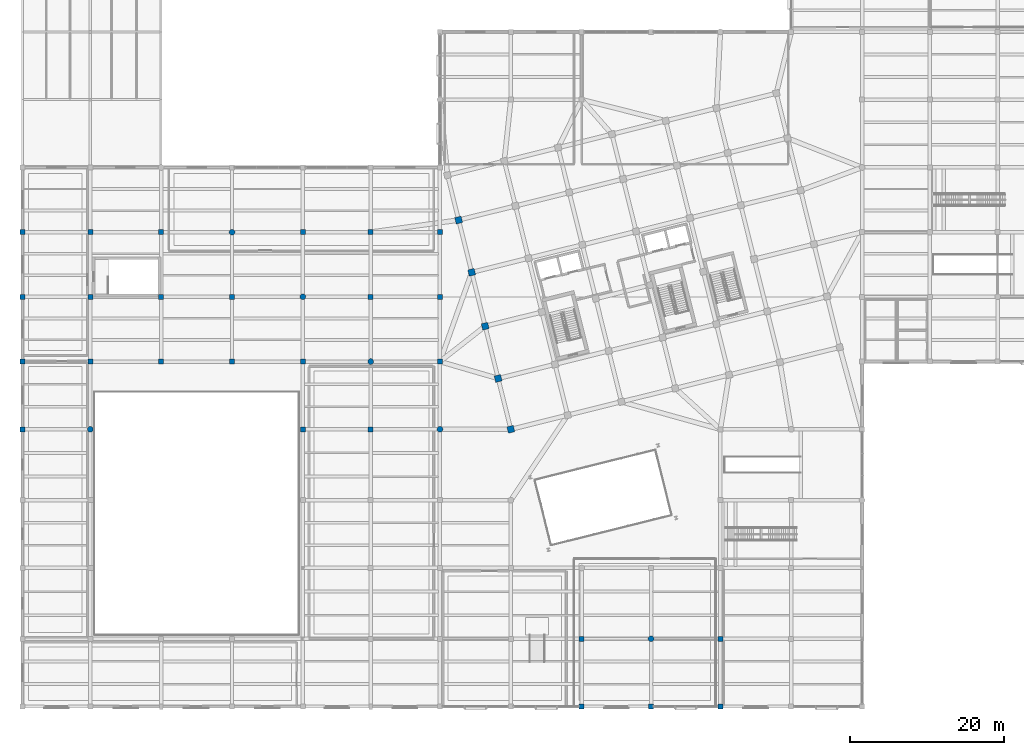
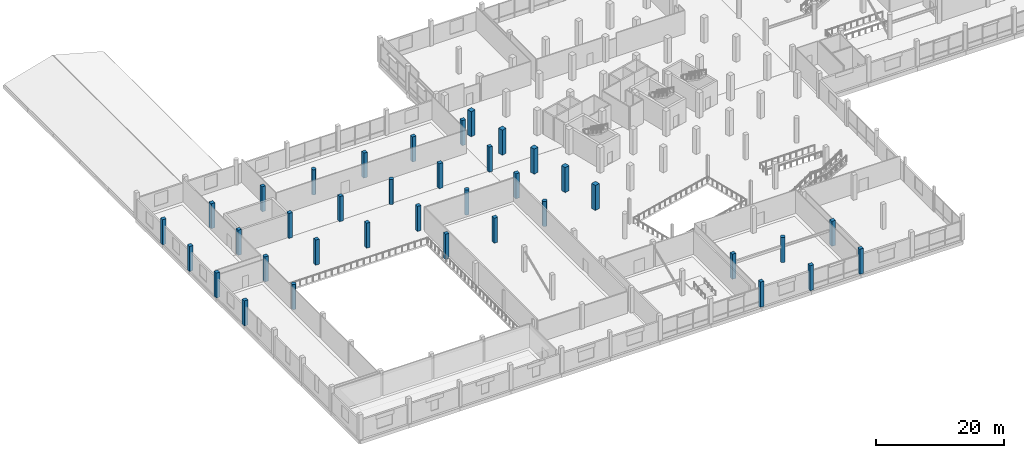
# One storey, part 3 of 71: 37 columns.
"""IFC4 building model written with IfcOpenShell, lengths in metres."""

import ifcopenshell
import ifcopenshell.guid

model = None  # the IFC model being written
_history = None  # IfcOwnerHistory: only IFC2X3 demands one
_inside = {}  # id of a spatial element -> (the spatial element, [elements in it])
_under = {}  # id of a project, library or spatial element -> (it, [spatial elements below it])
_declared = {}  # id of a project -> (the project, [libraries it declares])
_typed = {}  # id of a type object -> (the type object, [elements of that type])
_made_of = {}  # id of a material, layer set ... -> (it, [elements and type objects made of it])


def new_model(schema):
    """Start an empty IFC model of exactly this schema.

    Asked for "IFC4X3", IfcOpenShell would pick the latest addendum, in which some entities
    have other attributes; the version numbers below select the first issue.
    IFC2X3 requires an IfcOwnerHistory on every rooted entity: one is made here for all.
    """
    global model, _history
    if schema == "IFC4X3":
        model = ifcopenshell.file(schema_version=(4, 3, 0, 0))
    else:
        model = ifcopenshell.file(schema=schema)
    _inside.clear()
    _under.clear()
    _declared.clear()
    _typed.clear()
    _made_of.clear()
    _history = None
    if model.schema == "IFC2X3":
        org = make("IfcOrganization", Name="unknown")
        user = make(
            "IfcPersonAndOrganization",
            ThePerson=make("IfcPerson", FamilyName="unknown"),
            TheOrganization=org,
        )
        app = make(
            "IfcApplication",
            ApplicationDeveloper=org,
            Version="unknown",
            ApplicationFullName="unknown",
            ApplicationIdentifier="unknown",
        )
        _history = make(
            "IfcOwnerHistory",
            OwningUser=user,
            OwningApplication=app,
            ChangeAction="ADDED",
            CreationDate=0,
        )
    return model


def make(cls, **values):
    """One entity of the class cls with the attributes given. An attribute that is None is left unset."""
    return model.create_entity(
        cls, **{name: value for name, value in values.items() if value is not None}
    )


def rooted(cls, **values):
    """An entity with a GlobalId (a new one), such as an element, a storey or a relation."""
    return make(cls, GlobalId=ifcopenshell.guid.new(), OwnerHistory=_history, **values)


def si_unit(unit_type, name, prefix=None):
    """IfcSIUnit, for example si_unit("LENGTHUNIT", "METRE", prefix="MILLI")."""
    return make("IfcSIUnit", UnitType=unit_type, Prefix=prefix, Name=name)


def assignment(units):
    """IfcUnitAssignment: the units of a project."""
    return None if units is None else make("IfcUnitAssignment", Units=units)


def point(xyz):
    """IfcCartesianPoint."""
    return None if xyz is None else make("IfcCartesianPoint", Coordinates=xyz)


def direction(xyz):
    """IfcDirection."""
    return None if xyz is None else make("IfcDirection", DirectionRatios=xyz)


def frame(location, z_axis=None, x_axis=None):
    """IfcAxis2Placement3D, a coordinate frame: its origin and axes. An axis left out is left unset."""
    return make(
        "IfcAxis2Placement3D",
        Location=point(location),
        Axis=direction(z_axis),
        RefDirection=direction(x_axis),
    )


def frame_2d(location, x_axis=None):
    """IfcAxis2Placement2D, a coordinate frame in the plane: its origin and x axis."""
    return make(
        "IfcAxis2Placement2D", Location=point(location), RefDirection=direction(x_axis)
    )


def origin():
    """The frame at (0, 0, 0) with its axes left unset."""
    return frame((0.0, 0.0, 0.0))


def origin_2d():
    """The frame at (0, 0) in the plane with its x axis left unset."""
    return frame_2d((0.0, 0.0))


def place(relative_to, where):
    """IfcLocalPlacement: puts the frame where relative to a parent placement (None: the world)."""
    return make(
        "IfcLocalPlacement", PlacementRelTo=relative_to, RelativePlacement=where
    )


def context(
    kind, dimensions, precision=None, world=None, true_north=None, identifier=None
):
    """IfcGeometricRepresentationContext, for example the 3D "Model" context."""
    return make(
        "IfcGeometricRepresentationContext",
        ContextIdentifier=identifier,
        ContextType=kind,
        CoordinateSpaceDimension=dimensions,
        Precision=precision,
        WorldCoordinateSystem=world,
        TrueNorth=true_north,
    )


def subcontext(parent, identifier, kind, view, scale=None):
    """IfcGeometricRepresentationSubContext, for example "Body" below "Model"."""
    return make(
        "IfcGeometricRepresentationSubContext",
        ContextIdentifier=identifier,
        ContextType=kind,
        ParentContext=parent,
        TargetScale=scale,
        TargetView=view,
    )


def project(units=None, contexts=None):
    """IfcProject with its units and contexts."""
    return rooted(
        "IfcProject",
        Name="project",
        RepresentationContexts=contexts,
        UnitsInContext=assignment(units),
    )


def spatial(cls, under=None, at=None, **own):
    """A site, building, storey or space (cls), placed at a placement, below another one or the project."""
    s = rooted(cls, ObjectPlacement=at, **own)
    if under is not None:
        _under.setdefault(under.id(), (under, []))[1].append(s)
    return s


def profile(cls, at=None, kind="AREA", **sizes):
    """A parametric profile (cls). Its sizes go by their IFC names, for example OverallWidth=200.0."""
    return make(cls, ProfileType=kind, Position=at, **sizes)


def rectangle(**sizes):
    """IfcRectangleProfileDef."""
    return profile("IfcRectangleProfileDef", **sizes)


def circle(**sizes):
    """IfcCircleProfileDef."""
    return profile("IfcCircleProfileDef", **sizes)


def extrude(swept, where, along, depth):
    """IfcExtrudedAreaSolid: the profile swept, set in the frame where, extruded along a direction by depth."""
    return make(
        "IfcExtrudedAreaSolid",
        SweptArea=swept,
        Position=where,
        ExtrudedDirection=direction(along),
        Depth=depth,
    )


def shape(context_of_items, identifier, shape_type, items):
    """IfcShapeRepresentation: the items that make up one representation, for example the "Body"."""
    return make(
        "IfcShapeRepresentation",
        ContextOfItems=context_of_items,
        RepresentationIdentifier=identifier,
        RepresentationType=shape_type,
        Items=items,
    )


def material(Name=None, Category=None):
    """IfcMaterial."""
    return make("IfcMaterial", Name=Name, Category=Category)


def material_profile(
    of_material, cross_section, Name=None, Category=None, Priority=None
):
    """IfcMaterialProfile: a cross section and its material."""
    return make(
        "IfcMaterialProfile",
        Name=Name,
        Material=of_material,
        Profile=cross_section,
        Priority=Priority,
        Category=Category,
    )


def profile_set(profiles, Name=None, composite=None):
    """IfcMaterialProfileSet."""
    return make(
        "IfcMaterialProfileSet",
        Name=Name,
        MaterialProfiles=profiles,
        CompositeProfile=composite,
    )


def made_of(thing, what):
    """Note that an element or type object is made of a material, layer set ...; save() writes the relation."""
    if what is not None:
        _made_of.setdefault(what.id(), (what, []))[1].append(thing)
    return thing


def type_object(cls, material=None, **own):
    """A type object (cls), such as IfcWallType, which elements share."""
    return made_of(rooted(cls, **own), material)


def element(
    cls,
    number,
    at=None,
    inside=None,
    cuts=None,
    type_object=None,
    material=None,
    context=None,
    identifier="Body",
    shape_type=None,
    held_by="IfcProductDefinitionShape",
    body=None,
    shapes=None,
    **own,
):
    """One element of the class cls, such as IfcWall. Its Tag is "e" and its number.

    at: its placement. inside: the storey or other place that contains it. cuts: it is an
    opening in that element (IfcRelVoidsElement). A single representation is given by context,
    identifier, shape_type and body (its items); several are given by shapes. held_by: the class
    of the entity that holds the representations. save() writes the other relations.
    """
    e = rooted(cls, Tag="e%d" % number, ObjectPlacement=at, **own)
    if body is not None:
        shapes = [shape(context, identifier, shape_type, body)]
    if shapes is not None:
        e.Representation = make(held_by, Representations=shapes)
    if inside is not None:
        _inside.setdefault(inside.id(), (inside, []))[1].append(e)
    if cuts is not None:
        rooted(
            "IfcRelVoidsElement", RelatingBuildingElement=cuts, RelatedOpeningElement=e
        )
    if type_object is not None:
        _typed.setdefault(type_object.id(), (type_object, []))[1].append(e)
    return made_of(e, material)


def aggregate(whole, parts):
    """IfcRelAggregates: a whole, such as a stair, and the parts it consists of."""
    return rooted("IfcRelAggregates", RelatingObject=whole, RelatedObjects=parts)


def save(model, path):
    """Write the relations noted so far, then the file.

    IfcRelAggregates (storeys below a building ...), IfcRelContainedInSpatialStructure (elements
    in a storey), IfcRelDefinesByType, IfcRelAssociatesMaterial and IfcRelDeclares: one each for
    every whole, place, type object, material and project.
    """
    for whole, parts in _under.values():
        aggregate(whole, parts)
    for where, things in _inside.values():
        rooted(
            "IfcRelContainedInSpatialStructure",
            RelatedElements=things,
            RelatingStructure=where,
        )
    for kind, things in _typed.values():
        rooted("IfcRelDefinesByType", RelatedObjects=things, RelatingType=kind)
    for what, things in _made_of.values():
        rooted("IfcRelAssociatesMaterial", RelatedObjects=things, RelatingMaterial=what)
    for by, libraries in _declared.values():
        rooted("IfcRelDeclares", RelatingContext=by, RelatedDefinitions=libraries)
    model.write(path)


model = new_model("IFC4")

# Units and contexts
model_context = context("Model", 3, precision=1e-05, world=origin(), true_north=direction((0.0, 1.0)))
body_context = subcontext(model_context, "Body", "Model", "MODEL_VIEW")
ifc_project = project(units=[si_unit("LENGTHUNIT", "METRE"), si_unit("AREAUNIT", "SQUARE_METRE"), si_unit("VOLUMEUNIT", "CUBIC_METRE"), si_unit("PLANEANGLEUNIT", "RADIAN"), si_unit("MASSUNIT", "GRAM", prefix="KILO")], contexts=[model_context])

# Site, building, storey
site_placement = place(None, origin())
site = spatial("IfcSite", under=ifc_project, at=site_placement, CompositionType="ELEMENT")
building_placement = place(site_placement, origin())
building = spatial("IfcBuilding", under=site, at=building_placement, Name="Meriwether Solvik Hall", CompositionType="ELEMENT")
storey_placement = place(building_placement, frame((0.0, 0.0, 5.10009765625)))
storey = spatial("IfcBuildingStorey", under=building, at=storey_placement, Name="L01", CompositionType="ELEMENT", Elevation=5.10009765625)

# Columns
ifc_material_1 = material(Name="Concrete C40/50", Category="concrete")
ifc_material_profile_1 = material_profile(ifc_material_1, rectangle(XDim=0.64990234375, YDim=0.64990234375, at=origin_2d()), Name="RCC-650X650")
ifc_profile_set_1 = profile_set([ifc_material_profile_1], Name="Concrete C40/50")
column_type_1 = type_object("IfcColumnType", Name="COL-RC-650", PredefinedType="COLUMN", material=ifc_profile_set_1)
for number, where, z_axis, x_axis, name in (
    (1, (5.199951171875, 41.199951171875, 0.0), (0.0, 0.0, 1.0), (1.0, 0.0, 0.0), "Podium Column 1/E (L01)"),
    (2, (5.199951171875, 50.0, 0.0), (0.0, 0.0, 1.0), (1.0, 0.0, 0.0), "Podium Column 1/F (L01)"),
    (3, (5.199951171875, 58.39990234375, 0.0), (0.0, 0.0, 1.0), (1.0, 0.0, 0.0), "Podium Column 1/G (L01)"),
    (4, (5.199951171875, 66.800048828125, 0.0), (0.0, 0.0, 1.0), (1.0, 0.0, 0.0), "Podium Column 1/H (L01)"),
    (5, (14.0, 50.0, 0.0), (0.0, 0.0, 1.0), (1.0, 0.0, 0.0), "Podium Column 2/F (L01)"),
    (6, (14.0, 58.39990234375, 0.0), (0.0, 0.0, 1.0), (1.0, 0.0, 0.0), "Podium Column 2/G (L01)"),
    (7, (14.0, 66.800048828125, 0.0), (0.0, 0.0, 1.0), (1.0, 0.0, 0.0), "Podium Column 2/H (L01)"),
    (8, (23.199951171875, 50.0, 0.0), (0.0, 0.0, 1.0), (1.0, 0.0, 0.0), "Podium Column 3/F (L01)"),
    (9, (23.199951171875, 58.39990234375, 0.0), (0.0, 0.0, 1.0), (1.0, 0.0, 0.0), "Podium Column 3/G (L01)"),
    (10, (23.199951171875, 66.800048828125, 0.0), (0.0, 0.0, 1.0), (1.0, 0.0, 0.0), "Podium Column 3/H (L01)"),
    (11, (32.39990234375, 50.0, 0.0), (0.0, 0.0, 1.0), (1.0, 0.0, 0.0), "Podium Column 4/F (L01)"),
    (12, (32.39990234375, 58.39990234375, 0.0), (0.0, 0.0, 1.0), (1.0, 0.0, 0.0), "Podium Column 4/G (L01)"),
    (13, (41.60009765625, 41.199951171875, 0.0), (0.0, 0.0, 1.0), (1.0, 0.0, 0.0), "Podium Column 5/E (L01)"),
    (14, (41.60009765625, 50.0, 0.0), (0.0, 0.0, 1.0), (1.0, 0.0, 0.0), "Podium Column 5/F (L01)"),
    (15, (41.60009765625, 66.800048828125, 0.0), (0.0, 0.0, 1.0), (1.0, 0.0, 0.0), "Podium Column 5/H (L01)"),
    (16, (50.39990234375, 41.199951171875, 0.0), (0.0, 0.0, 1.0), (1.0, 0.0, 0.0), "Podium Column 6/E (L01)"),
    (17, (50.39990234375, 58.39990234375, 0.0), (0.0, 0.0, 1.0), (1.0, 0.0, 0.0), "Podium Column 6/G (L01)"),
    (18, (50.39990234375, 66.800048828125, 0.0), (0.0, 0.0, 1.0), (1.0, 0.0, 0.0), "Podium Column 6/H (L01)"),
    (19, (59.39990234375, 50.0, 0.0), (0.0, 0.0, 1.0), (1.0, 0.0, 0.0), "Podium Column 7/F (L01)"),
    (20, (59.39990234375, 58.39990234375, 0.0), (0.0, 0.0, 1.0), (1.0, 0.0, 0.0), "Podium Column 7/G (L01)"),
    (21, (59.39990234375, 66.800048828125, 0.0), (0.0, 0.0, 1.0), (1.0, 0.0, 0.0), "Podium Column 7/H (L01)"),
    (22, (77.800048828125, 5.199951171875, 0.0), (0.0, 0.0, 1.0), (1.0, 0.0, 0.0), "Podium Column 9/A (L01)"),
    (23, (77.800048828125, 14.0, 0.0), (0.0, 0.0, 1.0), (1.0, 0.0, 0.0), "Podium Column 9/B (L01)"),
    (24, (86.800048828125, 5.199951171875, 0.0), (0.0, 0.0, 1.0), (1.0, 0.0, 0.0), "Podium Column 10/A (L01)"),
    (25, (95.800048828125, 5.199951171875, 0.0), (0.0, 0.0, 1.0), (1.0, 0.0, 0.0), "Podium Column 11/A (L01)"),
    (26, (95.800048828125, 14.0, 0.0), (0.0, 0.0, 1.0), (1.0, 0.0, 0.0), "Podium Column 11/B (L01)"),
):
    element("IfcColumn", number, at=place(storey_placement, frame(where, z_axis=z_axis, x_axis=x_axis)), inside=storey, type_object=column_type_1, Name=name, PredefinedType="COLUMN", context=body_context, shape_type="SweptSolid", body=[
        extrude(rectangle(XDim=0.64990234375, YDim=0.64990234375, at=origin_2d()), origin(), (0.0, 0.0, 1.0), 4.7998046875),
    ])
ifc_material_2 = material(Name="Concrete C40/50", Category="concrete")
ifc_material_profile_2 = material_profile(ifc_material_2, rectangle(XDim=0.85009765625, YDim=0.85009765625, at=origin_2d()), Name="RCC-850X850")
ifc_profile_set_2 = profile_set([ifc_material_profile_2], Name="Concrete C40/50")
column_type_2 = type_object("IfcColumnType", Name="COL-RC-850", PredefinedType="COLUMN", material=ifc_profile_set_2)
for number, where, z_axis, x_axis, name in (
    (27, (68.60009765625, 41.199951171875, 0.0), (0.0, 0.0, 1.0), (0.970295726276, 0.2419218956, 0.0), "Tower Column T1/TA (L01)"),
    (28, (66.954833984375, 47.798095703125, 0.0), (0.0, 0.0, 1.0), (0.970295726276, 0.2419218956, 0.0), "Tower Column T1/TB (L01)"),
    (29, (65.261474609375, 54.590087890625, 0.0), (0.0, 0.0, 1.0), (0.970295726276, 0.2419218956, 0.0), "Tower Column T1/TC (L01)"),
    (30, (63.51953125, 61.576171875, 0.0), (0.0, 0.0, 1.0), (0.970295726276, 0.2419218956, 0.0), "Tower Column T1/TD (L01)"),
    (31, (61.826171875, 68.3681640625, 0.0), (0.0, 0.0, 1.0), (0.970295726276, 0.2419218956, 0.0), "Tower Column T1/TE (L01)"),
):
    element("IfcColumn", number, at=place(storey_placement, frame(where, z_axis=z_axis, x_axis=x_axis)), inside=storey, type_object=column_type_2, Name=name, PredefinedType="COLUMN", context=body_context, shape_type="SweptSolid", body=[
        extrude(rectangle(XDim=0.85009765625, YDim=0.85009765625, at=origin_2d()), origin(), (0.0, 0.0, 1.0), 4.7998046875),
    ])
ifc_material_3 = material(Name="Concrete C40/50", Category="concrete")
ifc_material_profile_3 = material_profile(ifc_material_3, circle(Radius=0.375, at=origin_2d()), Name="RCC-D750")
ifc_profile_set_3 = profile_set([ifc_material_profile_3], Name="Concrete C40/50")
column_type_3 = type_object("IfcColumnType", Name="COL-RC-D750", PredefinedType="COLUMN", material=ifc_profile_set_3)
for number, where, z_axis, x_axis, name in (
    (32, (14.0, 41.199951171875, 0.0), (0.0, 0.0, 1.0), (1.0, 0.0, 0.0), "Podium Column 2/E (L01)"),
    (33, (32.39990234375, 66.800048828125, 0.0), (0.0, 0.0, 1.0), (1.0, 0.0, 0.0), "Podium Column 4/H (L01)"),
    (34, (41.60009765625, 58.39990234375, 0.0), (0.0, 0.0, 1.0), (1.0, 0.0, 0.0), "Podium Column 5/G (L01)"),
    (35, (50.39990234375, 50.0, 0.0), (0.0, 0.0, 1.0), (1.0, 0.0, 0.0), "Podium Column 6/F (L01)"),
    (36, (59.39990234375, 41.199951171875, 0.0), (0.0, 0.0, 1.0), (1.0, 0.0, 0.0), "Podium Column 7/E (L01)"),
    (37, (86.800048828125, 14.0, 0.0), (0.0, 0.0, 1.0), (1.0, 0.0, 0.0), "Podium Column 10/B (L01)"),
):
    element("IfcColumn", number, at=place(storey_placement, frame(where, z_axis=z_axis, x_axis=x_axis)), inside=storey, type_object=column_type_3, Name=name, PredefinedType="COLUMN", context=body_context, shape_type="SweptSolid", body=[
        extrude(circle(Radius=0.375, at=origin_2d()), origin(), (0.0, 0.0, 1.0), 4.7998046875),
    ])

save(model, "model.ifc")
